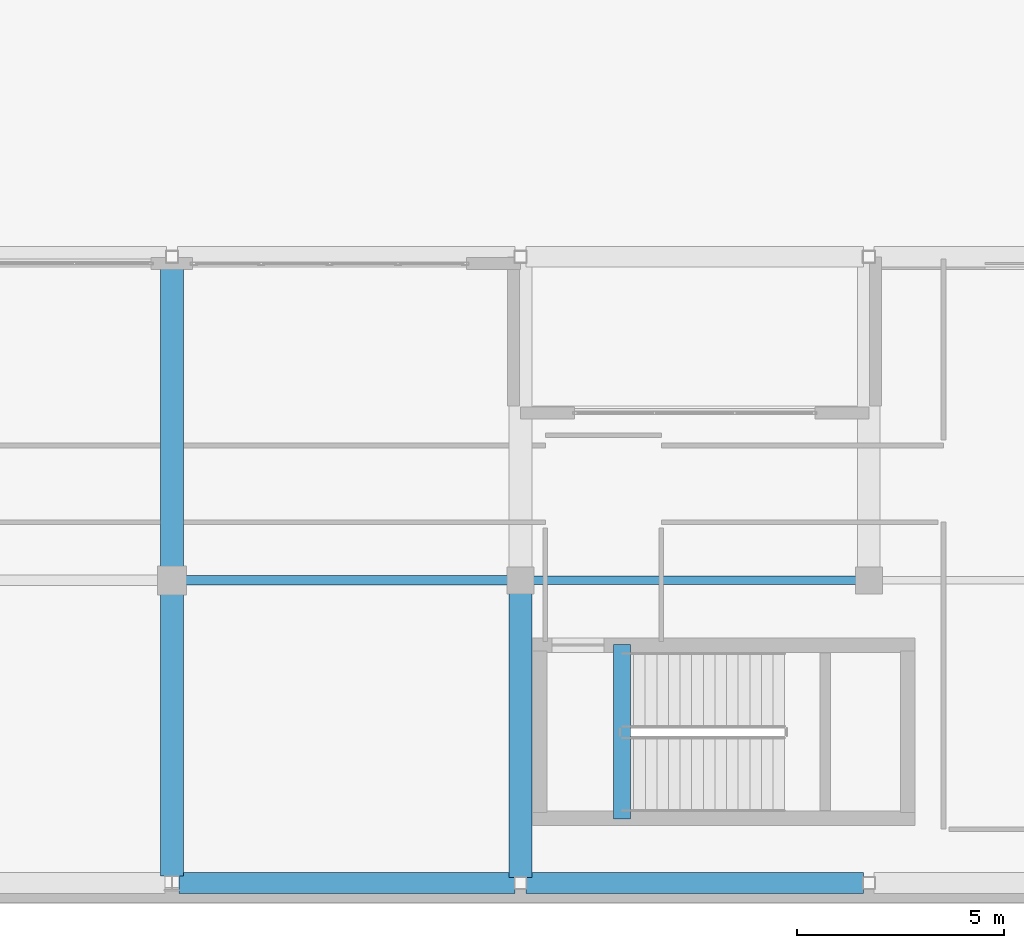
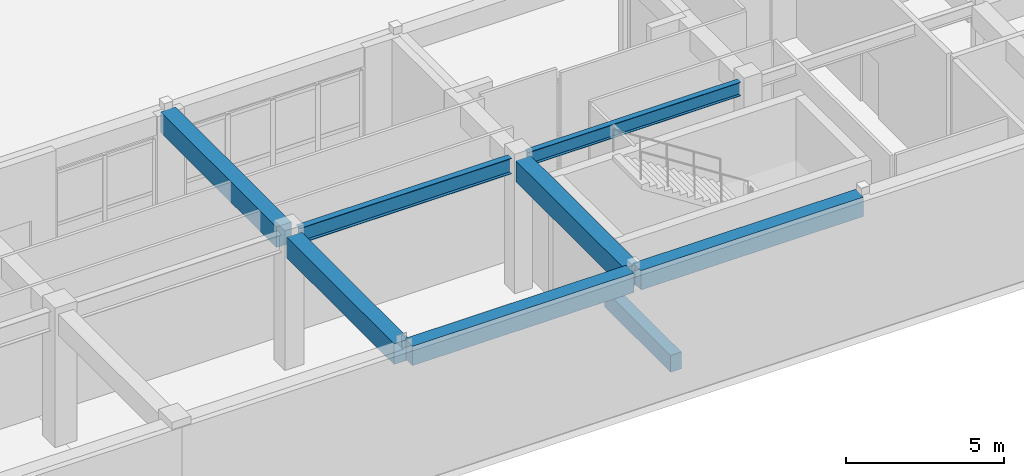
# One storey, part 33 of 148: 8 beams.
"""IFC4 building model written with IfcOpenShell, lengths in metres."""

from ifc_helpers import new_model, si_unit, direction, frame, origin, origin_2d, place, context, subcontext, project, spatial, rectangle, i_section, extrude, material, material_profile, profile_set, type_object, element, save


model = new_model("IFC4")

# Units and contexts
model_context = context("Model", 3, precision=1e-05, world=origin(), true_north=direction((0.0, 1.0)))
body_context = subcontext(model_context, "Body", "Model", "MODEL_VIEW")
ifc_project = project(units=[si_unit("LENGTHUNIT", "METRE"), si_unit("AREAUNIT", "SQUARE_METRE"), si_unit("VOLUMEUNIT", "CUBIC_METRE"), si_unit("PLANEANGLEUNIT", "RADIAN"), si_unit("MASSUNIT", "GRAM", prefix="KILO")], contexts=[model_context])

# Site, building, storey
site_placement = place(None, origin())
site = spatial("IfcSite", under=ifc_project, at=site_placement, CompositionType="ELEMENT")
building_placement = place(site_placement, origin())
building = spatial("IfcBuilding", under=site, at=building_placement, Name="Quendrovan Civic Courthouse", CompositionType="ELEMENT")
storey_placement = place(building_placement, origin())
storey = spatial("IfcBuildingStorey", under=building, at=storey_placement, Name="L01", CompositionType="ELEMENT", Elevation=0.0)

# Beams
ifc_material_1 = material(Name="Concrete C40/50", Category="concrete")
ifc_material_profile_1 = material_profile(ifc_material_1, rectangle(XDim=0.39990234375, YDim=0.64990234375, at=origin_2d()), Name="RC-BM-400x650")
ifc_profile_set_1 = profile_set([ifc_material_profile_1], Name="Concrete C40/50")
beam_type_1 = type_object("IfcBeamType", Name="BM-RC650", PredefinedType="JOIST", material=ifc_profile_set_1)
beam_1_placement = place(storey_placement, frame((78.050048828125, 2.050048828125, -0.324951171875), z_axis=(0.0, 1.0, 0.0), x_axis=(-1.0, 0.0, 0.0)))
element("IfcBeam", 1, at=beam_1_placement, inside=storey, type_object=beam_type_1, Name="L01 Stair ST7 Landing Trimmer Beam", PredefinedType="JOIST", context=body_context, shape_type="SweptSolid", body=[
    extrude(rectangle(XDim=0.39990234375, YDim=0.64990234375, at=origin_2d()), origin(), (0.0, 0.0, 1.0), 4.199951171875),
])
ifc_material_profile_2 = material_profile(ifc_material_1, rectangle(XDim=0.5, YDim=0.75, at=origin_2d()), Name="RC-BM-500x750")
ifc_profile_set_2 = profile_set([ifc_material_profile_2], Name="Concrete C40/50")
beam_type_2 = type_object("IfcBeamType", Name="BM-RC750", PredefinedType="SPANDREL", material=ifc_profile_set_2)
beam_2_placement = place(storey_placement, frame((67.366943359375, 0.5, 4.7451171875), z_axis=(1.0, 0.0, 0.0), x_axis=(0.0, 1.0, 0.0)))
element("IfcBeam", 2, at=beam_2_placement, inside=storey, type_object=beam_type_2, Name="L01 Girder X0245", PredefinedType="SPANDREL", context=body_context, shape_type="SweptSolid", body=[
    extrude(rectangle(XDim=0.5, YDim=0.75, at=origin_2d()), origin(), (0.0, 0.0, 1.0), 8.10302734375),
])
beam_3_placement = place(storey_placement, frame((75.72998046875, 0.5, 4.7451171875), z_axis=(1.0, 0.0, 0.0), x_axis=(0.0, 1.0, 0.0)))
element("IfcBeam", 3, at=beam_3_placement, inside=storey, type_object=beam_type_2, Name="L01 Girder X0246", PredefinedType="SPANDREL", context=body_context, shape_type="SweptSolid", body=[
    extrude(rectangle(XDim=0.5, YDim=0.75, at=origin_2d()), origin(), (0.0, 0.0, 1.0), 8.14013671875),
])
ifc_material_profile_3 = material_profile(ifc_material_1, rectangle(XDim=0.550048828125, YDim=0.800048828125, at=origin_2d()), Name="RC-BM-550x800")
ifc_profile_set_3 = profile_set([ifc_material_profile_3], Name="Concrete C40/50")
beam_type_3 = type_object("IfcBeamType", Name="BM-RC800", PredefinedType="BEAM", material=ifc_profile_set_3)
beam_4_placement = place(storey_placement, frame((67.199951171875, 0.666015625, 4.719970703125), z_axis=(0.0, 1.0, 0.0), x_axis=(-1.0, 0.0, 0.0)))
element("IfcBeam", 4, at=beam_4_placement, inside=storey, type_object=beam_type_3, Name="L01 Girder Y0425", PredefinedType="BEAM", context=body_context, shape_type="SweptSolid", body=[
    extrude(rectangle(XDim=0.550048828125, YDim=0.800048828125, at=origin_2d()), origin(), (0.0, 0.0, 1.0), 6.803955078125),
])
beam_5_placement = place(storey_placement, frame((67.199951171875, 8.1298828125, 4.719970703125), z_axis=(0.0, 1.0, 0.0), x_axis=(-1.0, 0.0, 0.0)))
element("IfcBeam", 5, at=beam_5_placement, inside=storey, type_object=beam_type_3, Name="L01 Girder Y0426", PredefinedType="BEAM", context=body_context, shape_type="SweptSolid", body=[
    extrude(rectangle(XDim=0.550048828125, YDim=0.800048828125, at=origin_2d()), origin(), (0.0, 0.0, 1.0), 7.340087890625),
])
beam_6_placement = place(storey_placement, frame((75.60009765625, 0.6298828125, 4.719970703125), z_axis=(0.0, 1.0, 0.0), x_axis=(-1.0, 0.0, 0.0)))
element("IfcBeam", 6, at=beam_6_placement, inside=storey, type_object=beam_type_3, Name="L01 Girder Y0431", PredefinedType="BEAM", context=body_context, shape_type="SweptSolid", body=[
    extrude(rectangle(XDim=0.550048828125, YDim=0.800048828125, at=origin_2d()), origin(), (0.0, 0.0, 1.0), 6.865234375),
])
ifc_material_2 = material(Name="Steel ASTM A992 Grade 50", Category="steel")
ifc_material_profile_4 = material_profile(ifc_material_2, i_section(OverallWidth=0.208984375, OverallDepth=0.532958984375, WebThickness=0.01025390625, FlangeThickness=0.015625, at=origin_2d()), Name="W21X62")
ifc_profile_set_4 = profile_set([ifc_material_profile_4], Name="Steel ASTM A992 Grade 50")
beam_type_4 = type_object("IfcBeamType", Name="BM-STL-W21", PredefinedType="JOIST", material=ifc_profile_set_4)
beam_7_placement = place(storey_placement, frame((75.905029296875, 7.800048828125, 4.853515625), z_axis=(1.0, 0.0, 0.0), x_axis=(0.0, 1.0, 0.0)))
element("IfcBeam", 7, at=beam_7_placement, inside=storey, type_object=beam_type_4, Name="L01 Girder X0259", PredefinedType="JOIST", context=body_context, shape_type="SweptSolid", body=[
    extrude(i_section(OverallWidth=0.208984375, OverallDepth=0.532958984375, WebThickness=0.01025390625, FlangeThickness=0.015625, at=origin_2d()), origin(), (0.0, 0.0, 1.0), 7.7900390625),
])
ifc_material_profile_5 = material_profile(ifc_material_2, i_section(OverallWidth=0.22802734375, OverallDepth=0.60693359375, WebThickness=0.01123046875, FlangeThickness=0.017333984375, at=origin_2d()), Name="W24X76")
ifc_profile_set_5 = profile_set([ifc_material_profile_5], Name="Steel ASTM A992 Grade 50")
beam_type_5 = type_object("IfcBeamType", Name="BM-STL-W24", PredefinedType="BEAM", material=ifc_profile_set_5)
beam_8_placement = place(storey_placement, frame((67.530029296875, 7.800048828125, 4.81640625), z_axis=(1.0, 0.0, 0.0), x_axis=(0.0, 1.0, 0.0)))
element("IfcBeam", 8, at=beam_8_placement, inside=storey, type_object=beam_type_5, Name="L01 Girder X0258", PredefinedType="BEAM", context=body_context, shape_type="SweptSolid", body=[
    extrude(i_section(OverallWidth=0.22802734375, OverallDepth=0.60693359375, WebThickness=0.01123046875, FlangeThickness=0.017333984375, at=origin_2d()), origin(), (0.0, 0.0, 1.0), 7.764892578125),
])

save(model, "model.ifc")
